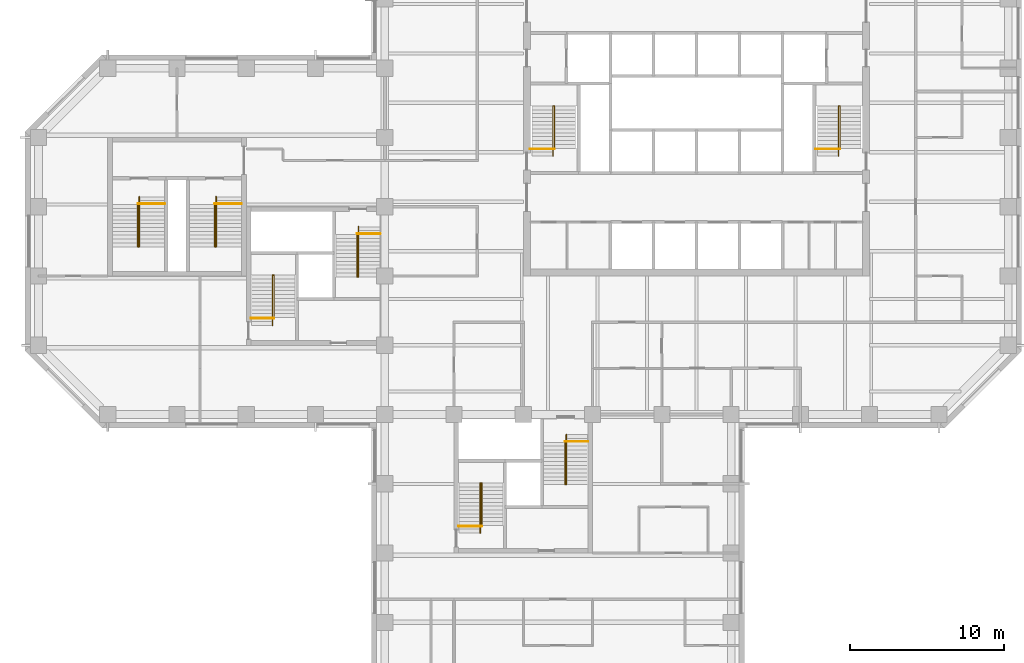
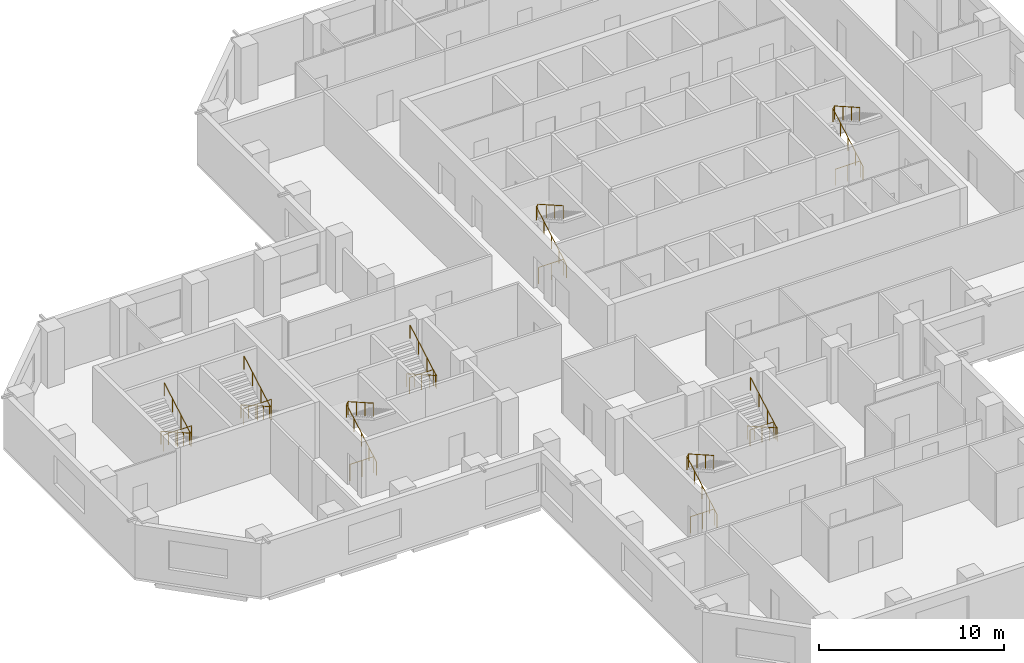
# One storey, part 11 of 11: 16 railings.
"""IFC4 building model written with IfcOpenShell, lengths in metres."""

from ifc_helpers import new_model, si_unit, direction, frame, origin, origin_2d, place, context, subcontext, project, spatial, circle, extrude, material, type_object, element, save


model = new_model("IFC4")

# Units and contexts
model_context = context("Model", 3, precision=1e-05, world=origin(), true_north=direction((0.0, 1.0)))
body_context = subcontext(model_context, "Body", "Model", "MODEL_VIEW")
ifc_project = project(units=[si_unit("LENGTHUNIT", "METRE"), si_unit("AREAUNIT", "SQUARE_METRE"), si_unit("VOLUMEUNIT", "CUBIC_METRE"), si_unit("PLANEANGLEUNIT", "RADIAN"), si_unit("MASSUNIT", "GRAM", prefix="KILO")], contexts=[model_context])

# Site, building, storey
site_placement = place(None, origin())
site = spatial("IfcSite", under=ifc_project, at=site_placement, CompositionType="ELEMENT")
building_placement = place(site_placement, origin())
building = spatial("IfcBuilding", under=site, at=building_placement, Name="Quoin Convention Tower", CompositionType="ELEMENT")
storey_placement = place(building_placement, frame((0.0, 0.0, 93.699951171875)))
storey = spatial("IfcBuildingStorey", under=building, at=storey_placement, Name="L24", CompositionType="ELEMENT", Elevation=93.699951171875)

# Railings
ifc_material = material(Name="Stainless steel", Category="steel")
railing_type_1 = type_object("IfcRailingType", Name="Stair handrail 900", PredefinedType="HANDRAIL", material=ifc_material)
railing_1_placement = place(storey_placement, frame((46.929931640625, 57.300048828125, 0.142333984375)))
element("IfcRailing", 1, at=railing_1_placement, inside=storey, type_object=railing_type_1, Name="SD1 handrail 1", PredefinedType="HANDRAIL", context=body_context, shape_type="SweptSolid", body=[
    extrude(circle(Radius=0.02392578125, at=origin_2d()), frame((0.0, 0.0, 0.8759765625), z_axis=(0.0, 0.869053504361, 0.494718108177), x_axis=(-1.0, 0.0, 0.0)), (0.0, 0.0, 1.0), 3.73974609375),
    extrude(circle(Radius=0.02392578125, at=origin_2d()), frame((0.0, 3.25, 2.72607421875), z_axis=(0.53481069233, 0.0, 0.844971906852), x_axis=(0.0, 1.0, 0.0)), (0.0, 0.0, 1.0), 0.16845703125),
    extrude(circle(Radius=0.02392578125, at=origin_2d()), frame((0.090087890625, 3.25, 2.8681640625), z_axis=(0.0, -0.869091777644, 0.494650868828), x_axis=(1.0, 0.0, 0.0)), (0.0, 0.0, 1.0), 3.164306640625),
    extrude(circle(Radius=0.02099609375, at=origin_2d()), origin(), (0.0, 0.0, 1.0), 0.851806640625),
    extrude(circle(Radius=0.02099609375, at=origin_2d()), frame((0.0, 0.8125, 0.46240234375)), (0.0, 0.0, 1.0), 0.851806640625),
    extrude(circle(Radius=0.02099609375, at=origin_2d()), frame((0.0, 1.625, 0.925048828125)), (0.0, 0.0, 1.0), 0.851806640625),
    extrude(circle(Radius=0.02099609375, at=origin_2d()), frame((0.0, 2.4375, 1.3876953125)), (0.0, 0.0, 1.0), 0.851806640625),
    extrude(circle(Radius=0.02099609375, at=origin_2d()), frame((0.0, 3.25, 1.85009765625)), (0.0, 0.0, 1.0), 0.851806640625),
    extrude(circle(Radius=0.02099609375, at=origin_2d()), frame((0.090087890625, 3.25, 1.992431640625)), (0.0, 0.0, 1.0), 0.851806640625),
    extrude(circle(Radius=0.02099609375, at=origin_2d()), frame((0.090087890625, 2.333251953125, 2.51416015625)), (0.0, 0.0, 1.0), 0.851806640625),
    extrude(circle(Radius=0.02099609375, at=origin_2d()), frame((0.090087890625, 1.416748046875, 3.035888671875)), (0.0, 0.0, 1.0), 0.851806640625),
    extrude(circle(Radius=0.02099609375, at=origin_2d()), frame((0.090087890625, 0.5, 3.5576171875)), (0.0, 0.0, 1.0), 0.851806640625),
])
railing_2_placement = place(storey_placement, frame((65.47998046875, 57.300048828125, 0.142333984375)))
element("IfcRailing", 2, at=railing_2_placement, inside=storey, type_object=railing_type_1, Name="SD2 handrail 1", PredefinedType="HANDRAIL", context=body_context, shape_type="SweptSolid", body=[
    extrude(circle(Radius=0.02392578125, at=origin_2d()), frame((0.0, 0.0, 0.8759765625), z_axis=(0.0, 0.869053504361, 0.494718108177), x_axis=(-1.0, 0.0, 0.0)), (0.0, 0.0, 1.0), 3.73974609375),
    extrude(circle(Radius=0.02392578125, at=origin_2d()), frame((0.0, 3.25, 2.72607421875), z_axis=(0.53481069233, 0.0, 0.844971906852), x_axis=(0.0, 1.0, 0.0)), (0.0, 0.0, 1.0), 0.16845703125),
    extrude(circle(Radius=0.02392578125, at=origin_2d()), frame((0.090087890625, 3.25, 2.8681640625), z_axis=(0.0, -0.869091777644, 0.494650868828), x_axis=(1.0, 0.0, 0.0)), (0.0, 0.0, 1.0), 3.164306640625),
    extrude(circle(Radius=0.02099609375, at=origin_2d()), origin(), (0.0, 0.0, 1.0), 0.851806640625),
    extrude(circle(Radius=0.02099609375, at=origin_2d()), frame((0.0, 0.8125, 0.46240234375)), (0.0, 0.0, 1.0), 0.851806640625),
    extrude(circle(Radius=0.02099609375, at=origin_2d()), frame((0.0, 1.625, 0.925048828125)), (0.0, 0.0, 1.0), 0.851806640625),
    extrude(circle(Radius=0.02099609375, at=origin_2d()), frame((0.0, 2.4375, 1.3876953125)), (0.0, 0.0, 1.0), 0.851806640625),
    extrude(circle(Radius=0.02099609375, at=origin_2d()), frame((0.0, 3.25, 1.85009765625)), (0.0, 0.0, 1.0), 0.851806640625),
    extrude(circle(Radius=0.02099609375, at=origin_2d()), frame((0.090087890625, 3.25, 1.992431640625)), (0.0, 0.0, 1.0), 0.851806640625),
    extrude(circle(Radius=0.02099609375, at=origin_2d()), frame((0.090087890625, 2.333251953125, 2.51416015625)), (0.0, 0.0, 1.0), 0.851806640625),
    extrude(circle(Radius=0.02099609375, at=origin_2d()), frame((0.090087890625, 1.416748046875, 3.035888671875)), (0.0, 0.0, 1.0), 0.851806640625),
    extrude(circle(Radius=0.02099609375, at=origin_2d()), frame((0.090087890625, 0.5, 3.5576171875)), (0.0, 0.0, 1.0), 0.851806640625),
])
railing_3_placement = place(storey_placement, frame((28.705078125, 46.300048828125, 0.142333984375)))
element("IfcRailing", 3, at=railing_3_placement, inside=storey, type_object=railing_type_1, Name="SD3 handrail 1", PredefinedType="HANDRAIL", context=body_context, shape_type="SweptSolid", body=[
    extrude(circle(Radius=0.02392578125, at=origin_2d()), frame((0.0, 0.0, 0.8759765625), z_axis=(0.0, 0.869053504361, 0.494718108177), x_axis=(-1.0, 0.0, 0.0)), (0.0, 0.0, 1.0), 3.73974609375),
    extrude(circle(Radius=0.02392578125, at=origin_2d()), frame((0.0, 3.25, 2.72607421875), z_axis=(0.533774684331, 0.0, 0.845626741753), x_axis=(0.0, 1.0, 0.0)), (0.0, 0.0, 1.0), 0.168212890625),
    extrude(circle(Radius=0.02392578125, at=origin_2d()), frame((0.08984375, 3.25, 2.8681640625), z_axis=(0.0, -0.869091777644, 0.494650868828), x_axis=(1.0, 0.0, 0.0)), (0.0, 0.0, 1.0), 3.164306640625),
    extrude(circle(Radius=0.02099609375, at=origin_2d()), origin(), (0.0, 0.0, 1.0), 0.851806640625),
    extrude(circle(Radius=0.02099609375, at=origin_2d()), frame((0.0, 0.8125, 0.46240234375)), (0.0, 0.0, 1.0), 0.851806640625),
    extrude(circle(Radius=0.02099609375, at=origin_2d()), frame((0.0, 1.625, 0.925048828125)), (0.0, 0.0, 1.0), 0.851806640625),
    extrude(circle(Radius=0.02099609375, at=origin_2d()), frame((0.0, 2.4375, 1.3876953125)), (0.0, 0.0, 1.0), 0.851806640625),
    extrude(circle(Radius=0.02099609375, at=origin_2d()), frame((0.0, 3.25, 1.85009765625)), (0.0, 0.0, 1.0), 0.851806640625),
    extrude(circle(Radius=0.02099609375, at=origin_2d()), frame((0.08984375, 3.25, 1.992431640625)), (0.0, 0.0, 1.0), 0.851806640625),
    extrude(circle(Radius=0.02099609375, at=origin_2d()), frame((0.08984375, 2.333251953125, 2.51416015625)), (0.0, 0.0, 1.0), 0.851806640625),
    extrude(circle(Radius=0.02099609375, at=origin_2d()), frame((0.08984375, 1.416748046875, 3.035888671875)), (0.0, 0.0, 1.0), 0.851806640625),
    extrude(circle(Radius=0.02099609375, at=origin_2d()), frame((0.08984375, 0.5, 3.5576171875)), (0.0, 0.0, 1.0), 0.851806640625),
])
railing_4_placement = place(storey_placement, frame((34.294921875, 52.699951171875, 0.142333984375)))
element("IfcRailing", 4, at=railing_4_placement, inside=storey, type_object=railing_type_1, Name="SD4 handrail 1", PredefinedType="HANDRAIL", context=body_context, shape_type="SweptSolid", body=[
    extrude(circle(Radius=0.02392578125, at=origin_2d()), frame((0.0, 0.0, 0.8759765625), z_axis=(0.0, -0.869053504361, 0.494718108177), x_axis=(1.0, 0.0, 0.0)), (0.0, 0.0, 1.0), 3.73974609375),
    extrude(circle(Radius=0.02392578125, at=origin_2d()), frame((0.0, -3.25, 2.72607421875), z_axis=(-0.533774684331, 0.0, 0.845626741753), x_axis=(0.0, -1.0, 0.0)), (0.0, 0.0, 1.0), 0.168212890625),
    extrude(circle(Radius=0.02392578125, at=origin_2d()), frame((-0.08984375, -3.25, 2.8681640625), z_axis=(0.0, 0.869091777644, 0.494650868828), x_axis=(-1.0, 0.0, 0.0)), (0.0, 0.0, 1.0), 3.164306640625),
    extrude(circle(Radius=0.02099609375, at=origin_2d()), origin(), (0.0, 0.0, 1.0), 0.851806640625),
    extrude(circle(Radius=0.02099609375, at=origin_2d()), frame((0.0, -0.8125, 0.46240234375)), (0.0, 0.0, 1.0), 0.851806640625),
    extrude(circle(Radius=0.02099609375, at=origin_2d()), frame((0.0, -1.625, 0.925048828125)), (0.0, 0.0, 1.0), 0.851806640625),
    extrude(circle(Radius=0.02099609375, at=origin_2d()), frame((0.0, -2.4375, 1.3876953125)), (0.0, 0.0, 1.0), 0.851806640625),
    extrude(circle(Radius=0.02099609375, at=origin_2d()), frame((0.0, -3.25, 1.85009765625)), (0.0, 0.0, 1.0), 0.851806640625),
    extrude(circle(Radius=0.02099609375, at=origin_2d()), frame((-0.08984375, -3.25, 1.992431640625)), (0.0, 0.0, 1.0), 0.851806640625),
    extrude(circle(Radius=0.02099609375, at=origin_2d()), frame((-0.08984375, -2.333251953125, 2.51416015625)), (0.0, 0.0, 1.0), 0.851806640625),
    extrude(circle(Radius=0.02099609375, at=origin_2d()), frame((-0.08984375, -1.416748046875, 3.035888671875)), (0.0, 0.0, 1.0), 0.851806640625),
    extrude(circle(Radius=0.02099609375, at=origin_2d()), frame((-0.08984375, -0.5, 3.5576171875)), (0.0, 0.0, 1.0), 0.851806640625),
])
railing_5_placement = place(storey_placement, frame((42.205078125, 32.800048828125, 0.142333984375)))
element("IfcRailing", 5, at=railing_5_placement, inside=storey, type_object=railing_type_1, Name="SD5 handrail 1", PredefinedType="HANDRAIL", context=body_context, shape_type="SweptSolid", body=[
    extrude(circle(Radius=0.02392578125, at=origin_2d()), frame((0.0, 0.0, 0.8759765625), z_axis=(0.0, 0.869053504361, 0.494718108177), x_axis=(-1.0, 0.0, 0.0)), (0.0, 0.0, 1.0), 3.73974609375),
    extrude(circle(Radius=0.02392578125, at=origin_2d()), frame((0.0, 3.25, 2.72607421875), z_axis=(0.533774684331, 0.0, 0.845626741753), x_axis=(0.0, 1.0, 0.0)), (0.0, 0.0, 1.0), 0.168212890625),
    extrude(circle(Radius=0.02392578125, at=origin_2d()), frame((0.08984375, 3.25, 2.8681640625), z_axis=(0.0, -0.869091777644, 0.494650868828), x_axis=(1.0, 0.0, 0.0)), (0.0, 0.0, 1.0), 3.164306640625),
    extrude(circle(Radius=0.02099609375, at=origin_2d()), origin(), (0.0, 0.0, 1.0), 0.851806640625),
    extrude(circle(Radius=0.02099609375, at=origin_2d()), frame((0.0, 0.8125, 0.46240234375)), (0.0, 0.0, 1.0), 0.851806640625),
    extrude(circle(Radius=0.02099609375, at=origin_2d()), frame((0.0, 1.625, 0.925048828125)), (0.0, 0.0, 1.0), 0.851806640625),
    extrude(circle(Radius=0.02099609375, at=origin_2d()), frame((0.0, 2.4375, 1.3876953125)), (0.0, 0.0, 1.0), 0.851806640625),
    extrude(circle(Radius=0.02099609375, at=origin_2d()), frame((0.0, 3.25, 1.85009765625)), (0.0, 0.0, 1.0), 0.851806640625),
    extrude(circle(Radius=0.02099609375, at=origin_2d()), frame((0.08984375, 3.25, 1.992431640625)), (0.0, 0.0, 1.0), 0.851806640625),
    extrude(circle(Radius=0.02099609375, at=origin_2d()), frame((0.08984375, 2.333251953125, 2.51416015625)), (0.0, 0.0, 1.0), 0.851806640625),
    extrude(circle(Radius=0.02099609375, at=origin_2d()), frame((0.08984375, 1.416748046875, 3.035888671875)), (0.0, 0.0, 1.0), 0.851806640625),
    extrude(circle(Radius=0.02099609375, at=origin_2d()), frame((0.08984375, 0.5, 3.5576171875)), (0.0, 0.0, 1.0), 0.851806640625),
])
railing_6_placement = place(storey_placement, frame((47.794921875, 39.199951171875, 0.142333984375)))
element("IfcRailing", 6, at=railing_6_placement, inside=storey, type_object=railing_type_1, Name="SD6 handrail 1", PredefinedType="HANDRAIL", context=body_context, shape_type="SweptSolid", body=[
    extrude(circle(Radius=0.02392578125, at=origin_2d()), frame((0.0, 0.0, 0.8759765625), z_axis=(0.0, -0.869053504361, 0.494718108177), x_axis=(1.0, 0.0, 0.0)), (0.0, 0.0, 1.0), 3.73974609375),
    extrude(circle(Radius=0.02392578125, at=origin_2d()), frame((0.0, -3.25, 2.72607421875), z_axis=(-0.533774684331, 0.0, 0.845626741753), x_axis=(0.0, -1.0, 0.0)), (0.0, 0.0, 1.0), 0.168212890625),
    extrude(circle(Radius=0.02392578125, at=origin_2d()), frame((-0.08984375, -3.25, 2.8681640625), z_axis=(0.0, 0.869091777644, 0.494650868828), x_axis=(-1.0, 0.0, 0.0)), (0.0, 0.0, 1.0), 3.164306640625),
    extrude(circle(Radius=0.02099609375, at=origin_2d()), origin(), (0.0, 0.0, 1.0), 0.851806640625),
    extrude(circle(Radius=0.02099609375, at=origin_2d()), frame((0.0, -0.8125, 0.46240234375)), (0.0, 0.0, 1.0), 0.851806640625),
    extrude(circle(Radius=0.02099609375, at=origin_2d()), frame((0.0, -1.625, 0.925048828125)), (0.0, 0.0, 1.0), 0.851806640625),
    extrude(circle(Radius=0.02099609375, at=origin_2d()), frame((0.0, -2.4375, 1.3876953125)), (0.0, 0.0, 1.0), 0.851806640625),
    extrude(circle(Radius=0.02099609375, at=origin_2d()), frame((0.0, -3.25, 1.85009765625)), (0.0, 0.0, 1.0), 0.851806640625),
    extrude(circle(Radius=0.02099609375, at=origin_2d()), frame((-0.08984375, -3.25, 1.992431640625)), (0.0, 0.0, 1.0), 0.851806640625),
    extrude(circle(Radius=0.02099609375, at=origin_2d()), frame((-0.08984375, -2.333251953125, 2.51416015625)), (0.0, 0.0, 1.0), 0.851806640625),
    extrude(circle(Radius=0.02099609375, at=origin_2d()), frame((-0.08984375, -1.416748046875, 3.035888671875)), (0.0, 0.0, 1.0), 0.851806640625),
    extrude(circle(Radius=0.02099609375, at=origin_2d()), frame((-0.08984375, -0.5, 3.5576171875)), (0.0, 0.0, 1.0), 0.851806640625),
])
railing_7_placement = place(storey_placement, frame((20.044921875, 54.64990234375, 0.142333984375)))
element("IfcRailing", 7, at=railing_7_placement, inside=storey, type_object=railing_type_1, Name="SD11 handrail 1", PredefinedType="HANDRAIL", context=body_context, shape_type="SweptSolid", body=[
    extrude(circle(Radius=0.02392578125, at=origin_2d()), frame((0.0, 0.0, 0.8759765625), z_axis=(0.0, -0.869053504361, 0.494718108177), x_axis=(1.0, 0.0, 0.0)), (0.0, 0.0, 1.0), 3.73974609375),
    extrude(circle(Radius=0.02392578125, at=origin_2d()), frame((0.0, -3.25, 2.72607421875), z_axis=(-0.533774684331, 0.0, 0.845626741753), x_axis=(0.0, -1.0, 0.0)), (0.0, 0.0, 1.0), 0.168212890625),
    extrude(circle(Radius=0.02392578125, at=origin_2d()), frame((-0.08984375, -3.25, 2.8681640625), z_axis=(0.0, 0.869091777644, 0.494650868828), x_axis=(-1.0, 0.0, 0.0)), (0.0, 0.0, 1.0), 3.164306640625),
    extrude(circle(Radius=0.02099609375, at=origin_2d()), origin(), (0.0, 0.0, 1.0), 0.851806640625),
    extrude(circle(Radius=0.02099609375, at=origin_2d()), frame((0.0, -0.8125, 0.46240234375)), (0.0, 0.0, 1.0), 0.851806640625),
    extrude(circle(Radius=0.02099609375, at=origin_2d()), frame((0.0, -1.625, 0.925048828125)), (0.0, 0.0, 1.0), 0.851806640625),
    extrude(circle(Radius=0.02099609375, at=origin_2d()), frame((0.0, -2.4375, 1.3876953125)), (0.0, 0.0, 1.0), 0.851806640625),
    extrude(circle(Radius=0.02099609375, at=origin_2d()), frame((0.0, -3.25, 1.85009765625)), (0.0, 0.0, 1.0), 0.851806640625),
    extrude(circle(Radius=0.02099609375, at=origin_2d()), frame((-0.08984375, -3.25, 1.992431640625)), (0.0, 0.0, 1.0), 0.851806640625),
    extrude(circle(Radius=0.02099609375, at=origin_2d()), frame((-0.08984375, -2.333251953125, 2.51416015625)), (0.0, 0.0, 1.0), 0.851806640625),
    extrude(circle(Radius=0.02099609375, at=origin_2d()), frame((-0.08984375, -1.416748046875, 3.035888671875)), (0.0, 0.0, 1.0), 0.851806640625),
    extrude(circle(Radius=0.02099609375, at=origin_2d()), frame((-0.08984375, -0.5, 3.5576171875)), (0.0, 0.0, 1.0), 0.851806640625),
])
railing_8_placement = place(storey_placement, frame((25.044921875, 54.64990234375, 0.142333984375)))
element("IfcRailing", 8, at=railing_8_placement, inside=storey, type_object=railing_type_1, Name="SD12 handrail 1", PredefinedType="HANDRAIL", context=body_context, shape_type="SweptSolid", body=[
    extrude(circle(Radius=0.02392578125, at=origin_2d()), frame((0.0, 0.0, 0.8759765625), z_axis=(0.0, -0.869053504361, 0.494718108177), x_axis=(1.0, 0.0, 0.0)), (0.0, 0.0, 1.0), 3.73974609375),
    extrude(circle(Radius=0.02392578125, at=origin_2d()), frame((0.0, -3.25, 2.72607421875), z_axis=(-0.533774684331, 0.0, 0.845626741753), x_axis=(0.0, -1.0, 0.0)), (0.0, 0.0, 1.0), 0.168212890625),
    extrude(circle(Radius=0.02392578125, at=origin_2d()), frame((-0.08984375, -3.25, 2.8681640625), z_axis=(0.0, 0.869091777644, 0.494650868828), x_axis=(-1.0, 0.0, 0.0)), (0.0, 0.0, 1.0), 3.164306640625),
    extrude(circle(Radius=0.02099609375, at=origin_2d()), origin(), (0.0, 0.0, 1.0), 0.851806640625),
    extrude(circle(Radius=0.02099609375, at=origin_2d()), frame((0.0, -0.8125, 0.46240234375)), (0.0, 0.0, 1.0), 0.851806640625),
    extrude(circle(Radius=0.02099609375, at=origin_2d()), frame((0.0, -1.625, 0.925048828125)), (0.0, 0.0, 1.0), 0.851806640625),
    extrude(circle(Radius=0.02099609375, at=origin_2d()), frame((0.0, -2.4375, 1.3876953125)), (0.0, 0.0, 1.0), 0.851806640625),
    extrude(circle(Radius=0.02099609375, at=origin_2d()), frame((0.0, -3.25, 1.85009765625)), (0.0, 0.0, 1.0), 0.851806640625),
    extrude(circle(Radius=0.02099609375, at=origin_2d()), frame((-0.08984375, -3.25, 1.992431640625)), (0.0, 0.0, 1.0), 0.851806640625),
    extrude(circle(Radius=0.02099609375, at=origin_2d()), frame((-0.08984375, -2.333251953125, 2.51416015625)), (0.0, 0.0, 1.0), 0.851806640625),
    extrude(circle(Radius=0.02099609375, at=origin_2d()), frame((-0.08984375, -1.416748046875, 3.035888671875)), (0.0, 0.0, 1.0), 0.851806640625),
    extrude(circle(Radius=0.02099609375, at=origin_2d()), frame((-0.08984375, -0.5, 3.5576171875)), (0.0, 0.0, 1.0), 0.851806640625),
])
railing_type_2 = type_object("IfcRailingType", Name="Stair top guard 1100", PredefinedType="GUARDRAIL", material=ifc_material)
for number, where, name in (
    (9, (45.449951171875, 57.75, 0.0), "SD1 top guard"),
    (10, (64.0, 57.75, 0.0), "SD2 top guard"),
):
    element("IfcRailing", number, at=place(storey_placement, frame(where)), inside=storey, type_object=railing_type_2, Name=name, PredefinedType="GUARDRAIL", context=body_context, shape_type="SweptSolid", body=[
        extrude(circle(Radius=0.02392578125, at=origin_2d()), frame((0.0, 0.0, 1.076171875), z_axis=(1.0, 0.0, 0.0), x_axis=(0.0, 1.0, 0.0)), (0.0, 0.0, 1.0), 1.570068359375),
        extrude(circle(Radius=0.02099609375, at=origin_2d()), origin(), (0.0, 0.0, 1.0), 1.052001953125),
        extrude(circle(Radius=0.02099609375, at=origin_2d()), frame((0.78515625, 0.0, 0.0)), (0.0, 0.0, 1.0), 1.052001953125),
        extrude(circle(Radius=0.02099609375, at=origin_2d()), frame((1.570068359375, 0.0, 0.0)), (0.0, 0.0, 1.0), 1.052001953125),
    ])
railing_9_placement = place(storey_placement, frame((27.300048828125, 46.75, 0.0)))
element("IfcRailing", 11, at=railing_9_placement, inside=storey, type_object=railing_type_2, Name="SD3 top guard", PredefinedType="GUARDRAIL", context=body_context, shape_type="SweptSolid", body=[
    extrude(circle(Radius=0.02392578125, at=origin_2d()), frame((0.0, 0.0, 1.076171875), z_axis=(1.0, 0.0, 0.0), x_axis=(0.0, 1.0, 0.0)), (0.0, 0.0, 1.0), 1.494873046875),
    extrude(circle(Radius=0.02099609375, at=origin_2d()), origin(), (0.0, 0.0, 1.0), 1.052001953125),
    extrude(circle(Radius=0.02099609375, at=origin_2d()), frame((0.74755859375, 0.0, 0.0)), (0.0, 0.0, 1.0), 1.052001953125),
    extrude(circle(Radius=0.02099609375, at=origin_2d()), frame((1.494873046875, 0.0, 0.0)), (0.0, 0.0, 1.0), 1.052001953125),
])
railing_10_placement = place(storey_placement, frame((35.699951171875, 52.25, 0.0)))
element("IfcRailing", 12, at=railing_10_placement, inside=storey, type_object=railing_type_2, Name="SD4 top guard", PredefinedType="GUARDRAIL", context=body_context, shape_type="SweptSolid", body=[
    extrude(circle(Radius=0.02392578125, at=origin_2d()), frame((0.0, 0.0, 1.076171875), z_axis=(-1.0, 0.0, 0.0), x_axis=(0.0, -1.0, 0.0)), (0.0, 0.0, 1.0), 1.494873046875),
    extrude(circle(Radius=0.02099609375, at=origin_2d()), origin(), (0.0, 0.0, 1.0), 1.052001953125),
    extrude(circle(Radius=0.02099609375, at=origin_2d()), frame((-0.74755859375, 0.0, 0.0)), (0.0, 0.0, 1.0), 1.052001953125),
    extrude(circle(Radius=0.02099609375, at=origin_2d()), frame((-1.494873046875, 0.0, 0.0)), (0.0, 0.0, 1.0), 1.052001953125),
])
railing_11_placement = place(storey_placement, frame((40.800048828125, 33.25, 0.0)))
element("IfcRailing", 13, at=railing_11_placement, inside=storey, type_object=railing_type_2, Name="SD5 top guard", PredefinedType="GUARDRAIL", context=body_context, shape_type="SweptSolid", body=[
    extrude(circle(Radius=0.02392578125, at=origin_2d()), frame((0.0, 0.0, 1.076171875), z_axis=(1.0, 0.0, 0.0), x_axis=(0.0, 1.0, 0.0)), (0.0, 0.0, 1.0), 1.494873046875),
    extrude(circle(Radius=0.02099609375, at=origin_2d()), origin(), (0.0, 0.0, 1.0), 1.052001953125),
    extrude(circle(Radius=0.02099609375, at=origin_2d()), frame((0.74755859375, 0.0, 0.0)), (0.0, 0.0, 1.0), 1.052001953125),
    extrude(circle(Radius=0.02099609375, at=origin_2d()), frame((1.494873046875, 0.0, 0.0)), (0.0, 0.0, 1.0), 1.052001953125),
])
railing_12_placement = place(storey_placement, frame((49.199951171875, 38.75, 0.0)))
element("IfcRailing", 14, at=railing_12_placement, inside=storey, type_object=railing_type_2, Name="SD6 top guard", PredefinedType="GUARDRAIL", context=body_context, shape_type="SweptSolid", body=[
    extrude(circle(Radius=0.02392578125, at=origin_2d()), frame((0.0, 0.0, 1.076171875), z_axis=(-1.0, 0.0, 0.0), x_axis=(0.0, -1.0, 0.0)), (0.0, 0.0, 1.0), 1.494873046875),
    extrude(circle(Radius=0.02099609375, at=origin_2d()), origin(), (0.0, 0.0, 1.0), 1.052001953125),
    extrude(circle(Radius=0.02099609375, at=origin_2d()), frame((-0.74755859375, 0.0, 0.0)), (0.0, 0.0, 1.0), 1.052001953125),
    extrude(circle(Radius=0.02099609375, at=origin_2d()), frame((-1.494873046875, 0.0, 0.0)), (0.0, 0.0, 1.0), 1.052001953125),
])
for number, where, name in (
    (15, (21.699951171875, 54.199951171875, 0.0), "SD11 top guard"),
    (16, (26.699951171875, 54.199951171875, 0.0), "SD12 top guard"),
):
    element("IfcRailing", number, at=place(storey_placement, frame(where)), inside=storey, type_object=railing_type_2, Name=name, PredefinedType="GUARDRAIL", context=body_context, shape_type="SweptSolid", body=[
        extrude(circle(Radius=0.02392578125, at=origin_2d()), frame((0.0, 0.0, 1.076171875), z_axis=(-1.0, 0.0, 0.0), x_axis=(0.0, -1.0, 0.0)), (0.0, 0.0, 1.0), 1.744873046875),
        extrude(circle(Radius=0.02099609375, at=origin_2d()), origin(), (0.0, 0.0, 1.0), 1.052001953125),
        extrude(circle(Radius=0.02099609375, at=origin_2d()), frame((-0.87255859375, 0.0, 0.0)), (0.0, 0.0, 1.0), 1.052001953125),
        extrude(circle(Radius=0.02099609375, at=origin_2d()), frame((-1.744873046875, 0.0, 0.0)), (0.0, 0.0, 1.0), 1.052001953125),
    ])

save(model, "model.ifc")
